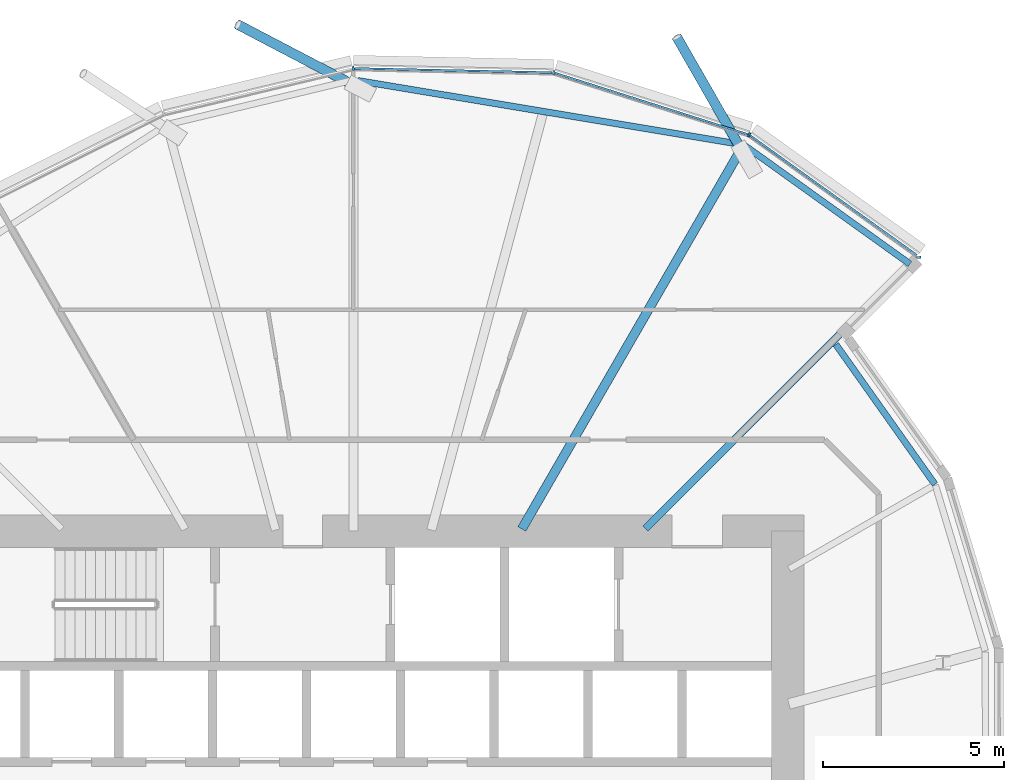
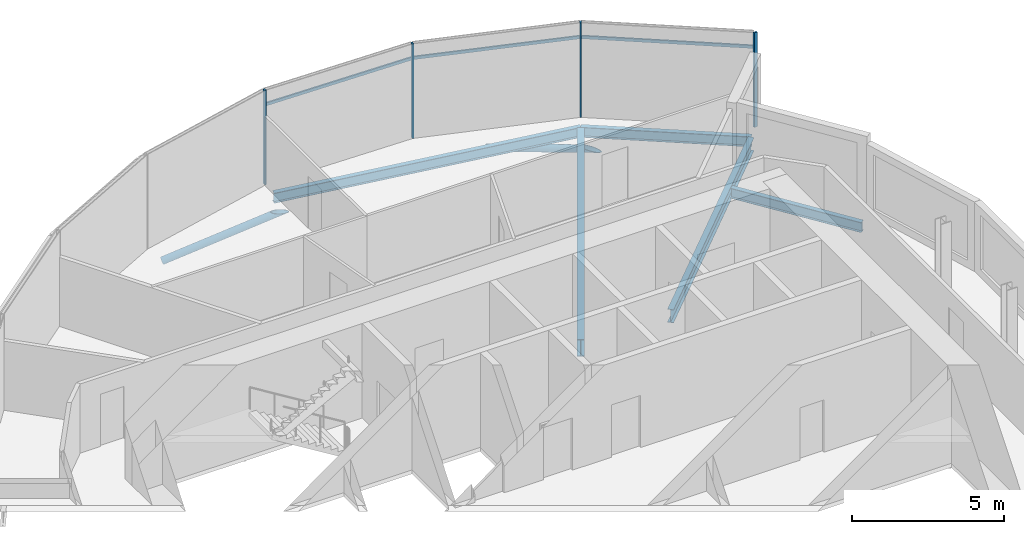
# One storey, part 17 of 36: 9 members, 5 beams, 1 element without a shape of its own.
"""IFC4 building model written with IfcOpenShell, lengths in metres."""

from ifc_helpers import new_model, si_unit, direction, frame, origin, origin_2d, place, context, subcontext, project, spatial, rectangle, hollow_circle, i_section, extrude, clip, halfspace, material, material_profile, profile_set, type_object, element, aggregate, save


model = new_model("IFC4")

# Units and contexts
model_context = context("Model", 3, precision=1e-05, world=origin(), true_north=direction((0.0, 1.0)))
body_context = subcontext(model_context, "Body", "Model", "MODEL_VIEW")
ifc_project = project(units=[si_unit("LENGTHUNIT", "METRE"), si_unit("AREAUNIT", "SQUARE_METRE"), si_unit("VOLUMEUNIT", "CUBIC_METRE"), si_unit("PLANEANGLEUNIT", "RADIAN"), si_unit("MASSUNIT", "GRAM", prefix="KILO")], contexts=[model_context])

# Site, building, storey
site_placement = place(None, origin())
site = spatial("IfcSite", under=ifc_project, at=site_placement, CompositionType="ELEMENT")
building_placement = place(site_placement, origin())
building = spatial("IfcBuilding", under=site, at=building_placement, Name="Rimbun Link Towers", CompositionType="ELEMENT")
storey_placement = place(building_placement, frame((0.0, 0.0, 37.60009765625)))
storey = spatial("IfcBuildingStorey", under=building, at=storey_placement, Name="L08", CompositionType="ELEMENT", Elevation=37.60009765625)

# Curtain wall, members
ifc_material_1 = material(Name="Aluminium 6063-T6 and low-iron glass", Category="aluminium")
curtain_wall_type = type_object("IfcCurtainWallType", Name="CW1 unitised vision wall", PredefinedType="NOTDEFINED", material=ifc_material_1)
curtain_wall_placement = place(storey_placement, origin())
curtain_wall = element("IfcCurtainWall", 1, at=curtain_wall_placement, inside=storey, type_object=curtain_wall_type, Name="CW1 L08 T2", PredefinedType="NOTDEFINED")
ifc_material_2 = material(Name="Aluminium 6063-T6", Category="aluminium")
ifc_material_profile_1 = material_profile(ifc_material_2, rectangle(XDim=0.1201171875, YDim=0.06005859375, at=origin_2d()), Name="MULLION 60X120")
ifc_profile_set_1 = profile_set([ifc_material_profile_1], Name="Aluminium 6063-T6")
member_type_1 = type_object("IfcMemberType", Name="CW1 mullion 60X120", PredefinedType="MULLION", material=ifc_profile_set_1)
member_1_placement = place(storey_placement, frame((42.690673828125, 18.956787109375, 0.0), z_axis=(0.0, 0.0, 1.0), x_axis=(0.448570450665, 0.893747475963, 0.0)))
member_1 = element("IfcMember", 2, at=member_1_placement, type_object=member_type_1, Name="CW1 mullion", PredefinedType="MULLION", context=body_context, shape_type="SweptSolid", body=[
    extrude(rectangle(XDim=0.1201171875, YDim=0.06005859375, at=origin_2d()), origin(), (0.0, 0.0, 1.0), 3.7998046875),
])
member_2_placement = place(storey_placement, frame((47.375, 15.570068359375, 0.0), z_axis=(0.0, 0.0, 1.0), x_axis=(0.996681355092, 0.081401943544, 0.0)))
member_2 = element("IfcMember", 3, at=member_2_placement, type_object=member_type_1, Name="CW1 mullion", PredefinedType="MULLION", context=body_context, shape_type="SweptSolid", body=[
    extrude(rectangle(XDim=0.1201171875, YDim=0.06005859375, at=origin_2d()), origin(), (0.0, 0.0, 1.0), 3.7998046875),
])
member_3_placement = place(storey_placement, frame((37.2841796875, 20.67626953125, 0.0), z_axis=(0.0, 0.0, 1.0), x_axis=(0.163751148004, 0.986501678421, 0.0)))
member_3 = element("IfcMember", 4, at=member_3_placement, type_object=member_type_1, Name="CW1 mullion", PredefinedType="MULLION", context=body_context, shape_type="SweptSolid", body=[
    extrude(rectangle(XDim=0.1201171875, YDim=0.06005859375, at=origin_2d()), origin(), (0.0, 0.0, 1.0), 3.7998046875),
])
member_4_placement = place(storey_placement, frame((31.74365234375, 20.793212890625, 0.0), z_axis=(0.0, 0.0, 1.0), x_axis=(-0.106644689088, 0.994297194147, 0.0)))
member_4 = element("IfcMember", 5, at=member_4_placement, type_object=member_type_1, Name="CW1 mullion", PredefinedType="MULLION", context=body_context, shape_type="SweptSolid", body=[
    extrude(rectangle(XDim=0.1201171875, YDim=0.06005859375, at=origin_2d()), origin(), (0.0, 0.0, 1.0), 3.7998046875),
])
ifc_material_3 = material(Name="Aluminium 6063-T6", Category="aluminium")
ifc_material_profile_2 = material_profile(ifc_material_3, rectangle(XDim=0.06005859375, YDim=0.1201171875, at=origin_2d()), Name="TRANSOM 60X120")
ifc_profile_set_2 = profile_set([ifc_material_profile_2], Name="Aluminium 6063-T6")
member_type_2 = type_object("IfcMemberType", Name="CW1 transom 60X120", PredefinedType="USERDEFINED", material=ifc_profile_set_2)
member_5_placement = place(storey_placement, frame((42.721923828125, 18.9326171875, 3.199951171875), z_axis=(0.812476567967, -0.582993847741, 0.0), x_axis=(0.582993847741, 0.812476567967, 0.0)))
member_5 = element("IfcMember", 6, at=member_5_placement, type_object=member_type_2, Name="CW1 transom", ObjectType="TRANSOM", PredefinedType="USERDEFINED", context=body_context, shape_type="SweptSolid", body=[
    extrude(rectangle(XDim=0.06005859375, YDim=0.1201171875, at=origin_2d()), origin(), (0.0, 0.0, 1.0), 5.6650390625),
])
member_6_placement = place(storey_placement, frame((37.320556640625, 20.663330078125, 3.199951171875), z_axis=(0.952964739769, -0.303081185093, 0.0), x_axis=(0.303081185093, 0.952964739769, 0.0)))
member_6 = element("IfcMember", 7, at=member_6_placement, type_object=member_type_2, Name="CW1 transom", ObjectType="TRANSOM", PredefinedType="USERDEFINED", context=body_context, shape_type="SweptSolid", body=[
    extrude(rectangle(XDim=0.06005859375, YDim=0.1201171875, at=origin_2d()), origin(), (0.0, 0.0, 1.0), 5.59521484375),
])
member_7_placement = place(storey_placement, frame((31.78125, 20.790771484375, 3.199951171875), z_axis=(0.999778654945, -0.021039037909, 0.0), x_axis=(0.021039037909, 0.999778654945, 0.0)))
member_7 = element("IfcMember", 8, at=member_7_placement, type_object=member_type_2, Name="CW1 transom", ObjectType="TRANSOM", PredefinedType="USERDEFINED", context=body_context, shape_type="SweptSolid", body=[
    extrude(rectangle(XDim=0.06005859375, YDim=0.1201171875, at=origin_2d()), origin(), (0.0, 0.0, 1.0), 5.465576171875),
])
aggregate(curtain_wall, [member_1, member_2, member_3, member_4, member_5, member_6, member_7])

# Members
ifc_material_4 = material(Name="Steel S355J2H", Category="steel")
ifc_material_profile_3 = material_profile(ifc_material_4, hollow_circle(Radius=0.136474609375, WallThickness=0.012451171875, at=origin_2d()), Name="CHS 273x12.5")
ifc_profile_set_3 = profile_set([ifc_material_profile_3], Name="Steel S355J2H")
member_type_3 = type_object("IfcMemberType", Name="Floor edge link CHS 273x12.5", PredefinedType="BRACE", material=ifc_profile_set_3)
member_8_placement = place(storey_placement, frame((42.465576171875, 18.559814453125, -0.973388671875), z_axis=(-0.469934284243, 0.821176152888, -0.323776920767), x_axis=(-0.867928464762, -0.496689218784, 0.0)))
element("IfcMember", 9, at=member_8_placement, inside=storey, type_object=member_type_3, Name="Floor edge link T2 L08 01", PredefinedType="BRACE", context=body_context, shape_type="Clipping", body=[
    clip(extrude(hollow_circle(Radius=0.136474609375, WallThickness=0.012451171875, at=origin_2d()), frame((0.0, 0.0, -0.82861328125)), (0.0, 0.0, 1.0), 4.615478515625), halfspace(frame((0.0, 0.0, -0.394775390625), z_axis=(0.0, 0.946133450196, -0.323776920767)), False)),
])
member_9_placement = place(storey_placement, frame((31.75, 20.333984375, -0.96728515625), z_axis=(-0.798944866274, 0.417972453501, -0.432418927394), x_axis=(-0.463552238712, -0.886069592067, 0.0)))
element("IfcMember", 10, at=member_9_placement, inside=storey, type_object=member_type_3, Name="Floor edge link T2 L08 03", PredefinedType="BRACE", context=body_context, shape_type="Clipping", body=[
    clip(extrude(hollow_circle(Radius=0.136474609375, WallThickness=0.012451171875, at=origin_2d()), frame((0.0, 0.0, -0.59228515625)), (0.0, 0.0, 1.0), 4.59765625), halfspace(frame((0.0, 0.0, -0.281494140625), z_axis=(0.0, 0.901672818284, -0.432418927394)), False)),
])

# Beams
ifc_material_5 = material(Name="Steel S355J2", Category="steel")
ifc_material_profile_4 = material_profile(ifc_material_5, i_section(OverallWidth=0.177978515625, OverallDepth=0.406494140625, WebThickness=0.0078125, FlangeThickness=0.0126953125, at=origin_2d()), Name="UB 406x178x60")
ifc_profile_set_4 = profile_set([ifc_material_profile_4], Name="Steel S355J2")
beam_type_1 = type_object("IfcBeamType", Name="UB 406x178x60", PredefinedType="BEAM", material=ifc_profile_set_4)
beam_1_placement = place(storey_placement, frame((47.13525390625, 15.38671875, -0.36328125), z_axis=(-0.812942443245, 0.582344042616, 0.0), x_axis=(-0.582344042616, -0.812942443245, 0.0)))
element("IfcBeam", 11, at=beam_1_placement, inside=storey, type_object=beam_type_1, Name="Edge beam T2 L08 00", PredefinedType="BEAM", context=body_context, shape_type="SweptSolid", body=[
    extrude(i_section(OverallWidth=0.177978515625, OverallDepth=0.406494140625, WebThickness=0.0078125, FlangeThickness=0.0126953125, at=origin_2d()), origin(), (0.0, 0.0, 1.0), 5.65673828125),
])
beam_2_placement = place(storey_placement, frame((42.534912109375, 18.681640625, -0.36328125), z_axis=(-0.986435423291, 0.164149796454, 0.0), x_axis=(-0.164149796454, -0.986435423291, 0.0)))
element("IfcBeam", 12, at=beam_2_placement, inside=storey, type_object=beam_type_1, Name="Edge beam T2 L08 01-03", PredefinedType="BEAM", context=body_context, shape_type="SweptSolid", body=[
    extrude(i_section(OverallWidth=0.177978515625, OverallDepth=0.406494140625, WebThickness=0.0078125, FlangeThickness=0.0126953125, at=origin_2d()), origin(), (0.0, 0.0, 1.0), 10.8037109375),
])
beam_3_placement = place(storey_placement, frame((47.82373046875, 9.298095703125, -0.36328125), z_axis=(-0.57792869873, 0.816087261991, 0.0), x_axis=(-0.816087261991, -0.57792869873, 0.0)))
element("IfcBeam", 13, at=beam_3_placement, inside=storey, type_object=beam_type_1, Name="Edge beam T2 L08 23 recess", PredefinedType="BEAM", context=body_context, shape_type="SweptSolid", body=[
    extrude(i_section(OverallWidth=0.177978515625, OverallDepth=0.406494140625, WebThickness=0.0078125, FlangeThickness=0.0126953125, at=origin_2d()), origin(), (0.0, 0.0, 1.0), 4.738037109375),
])
ifc_material_6 = material(Name="Steel S355J2", Category="steel")
ifc_material_profile_5 = material_profile(ifc_material_6, i_section(OverallWidth=0.209228515625, OverallDepth=0.533203125, WebThickness=0.010009765625, FlangeThickness=0.015625, at=origin_2d()), Name="UB 533x210x92")
ifc_profile_set_5 = profile_set([ifc_material_profile_5], Name="Steel S355J2")
beam_type_2 = type_object("IfcBeamType", Name="UB 533x210x92", PredefinedType="BEAM", material=ifc_profile_set_5)
beam_4_placement = place(storey_placement, frame((39.82470703125, 8.07470703125, -0.426513671875), z_axis=(0.707106781187, 0.707106781187, 0.0), x_axis=(-0.707106781187, 0.707106781187, 0.0)))
element("IfcBeam", 14, at=beam_4_placement, inside=storey, type_object=beam_type_2, Name="Radial beam T2 L08 00", PredefinedType="BEAM", context=body_context, shape_type="SweptSolid", body=[
    extrude(i_section(OverallWidth=0.209228515625, OverallDepth=0.533203125, WebThickness=0.010009765625, FlangeThickness=0.015625, at=origin_2d()), origin(), (0.0, 0.0, 1.0), 10.2490234375),
])
ifc_material_7 = material(Name="Steel S355J2", Category="steel")
ifc_material_profile_6 = material_profile(ifc_material_7, i_section(OverallWidth=0.253662109375, OverallDepth=0.68359375, WebThickness=0.012451171875, FlangeThickness=0.01904296875, at=origin_2d()), Name="UB 686x254x140")
ifc_profile_set_6 = profile_set([ifc_material_profile_6], Name="Steel S355J2")
beam_type_3 = type_object("IfcBeamType", Name="UB 686x254x140", PredefinedType="BEAM", material=ifc_profile_set_6)
beam_5_placement = place(storey_placement, frame((36.406005859375, 8.064208984375, -0.501708984375), z_axis=(0.49998410452, 0.866034580849, 0.0), x_axis=(-0.866034580849, 0.49998410452, 0.0)))
element("IfcBeam", 15, at=beam_5_placement, inside=storey, type_object=beam_type_3, Name="Radial beam T2 L08 01", PredefinedType="BEAM", context=body_context, shape_type="SweptSolid", body=[
    extrude(i_section(OverallWidth=0.253662109375, OverallDepth=0.68359375, WebThickness=0.012451171875, FlangeThickness=0.01904296875, at=origin_2d()), origin(), (0.0, 0.0, 1.0), 12.16943359375),
])

save(model, "model.ifc")
